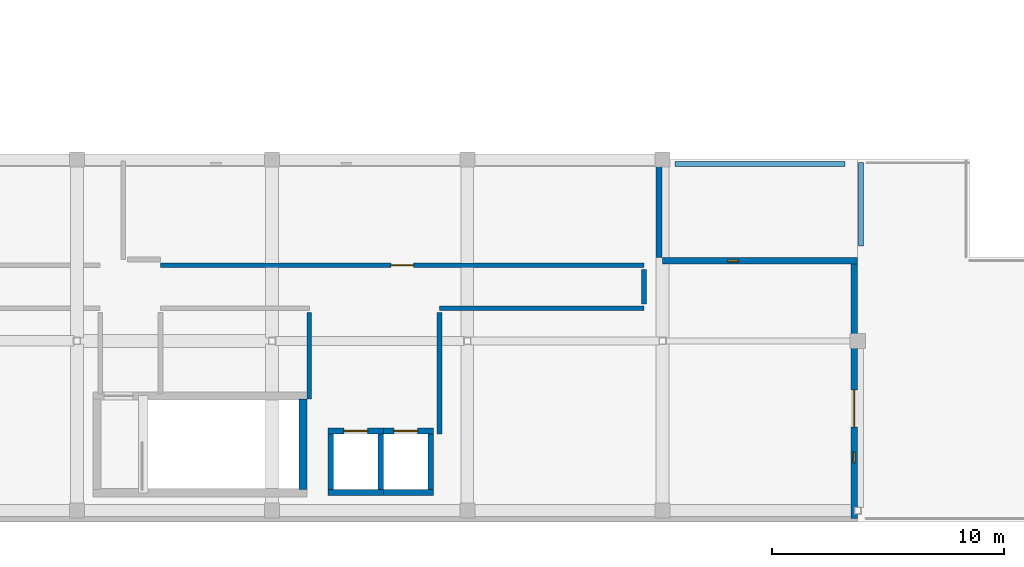
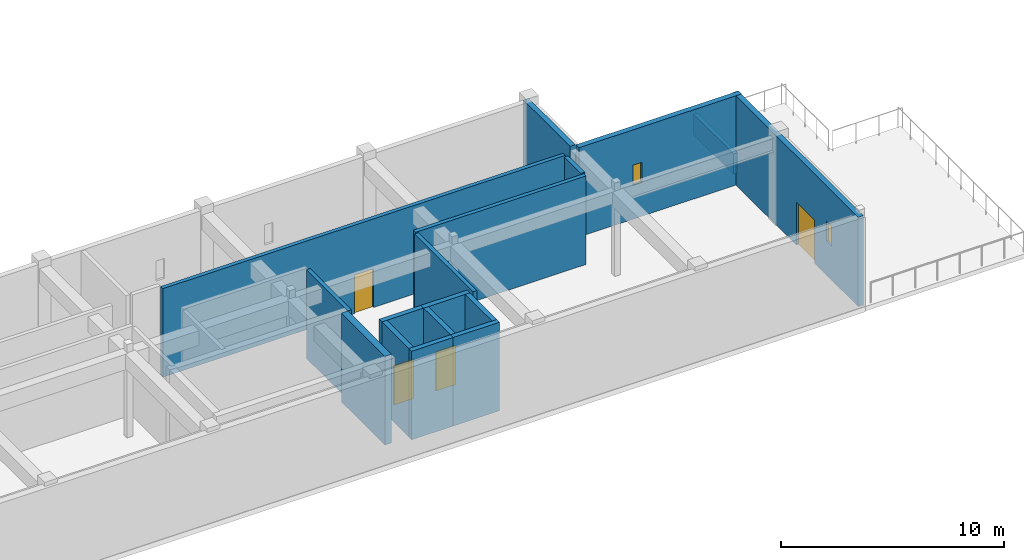
# One storey, part 66 of 78: 18 walls, 4 doors, 2 windows, 6 openings.
"""IFC4 building model written with IfcOpenShell, lengths in metres."""

import ifcopenshell
import ifcopenshell.guid

model = None  # the IFC model being written
_history = None  # IfcOwnerHistory: only IFC2X3 demands one
_inside = {}  # id of a spatial element -> (the spatial element, [elements in it])
_under = {}  # id of a project, library or spatial element -> (it, [spatial elements below it])
_declared = {}  # id of a project -> (the project, [libraries it declares])
_typed = {}  # id of a type object -> (the type object, [elements of that type])
_made_of = {}  # id of a material, layer set ... -> (it, [elements and type objects made of it])


def new_model(schema):
    """Start an empty IFC model of exactly this schema.

    Asked for "IFC4X3", IfcOpenShell would pick the latest addendum, in which some entities
    have other attributes; the version numbers below select the first issue.
    IFC2X3 requires an IfcOwnerHistory on every rooted entity: one is made here for all.
    """
    global model, _history
    if schema == "IFC4X3":
        model = ifcopenshell.file(schema_version=(4, 3, 0, 0))
    else:
        model = ifcopenshell.file(schema=schema)
    _inside.clear()
    _under.clear()
    _declared.clear()
    _typed.clear()
    _made_of.clear()
    _history = None
    if model.schema == "IFC2X3":
        org = make("IfcOrganization", Name="unknown")
        user = make(
            "IfcPersonAndOrganization",
            ThePerson=make("IfcPerson", FamilyName="unknown"),
            TheOrganization=org,
        )
        app = make(
            "IfcApplication",
            ApplicationDeveloper=org,
            Version="unknown",
            ApplicationFullName="unknown",
            ApplicationIdentifier="unknown",
        )
        _history = make(
            "IfcOwnerHistory",
            OwningUser=user,
            OwningApplication=app,
            ChangeAction="ADDED",
            CreationDate=0,
        )
    return model


def make(cls, **values):
    """One entity of the class cls with the attributes given. An attribute that is None is left unset."""
    return model.create_entity(
        cls, **{name: value for name, value in values.items() if value is not None}
    )


def rooted(cls, **values):
    """An entity with a GlobalId (a new one), such as an element, a storey or a relation."""
    return make(cls, GlobalId=ifcopenshell.guid.new(), OwnerHistory=_history, **values)


def si_unit(unit_type, name, prefix=None):
    """IfcSIUnit, for example si_unit("LENGTHUNIT", "METRE", prefix="MILLI")."""
    return make("IfcSIUnit", UnitType=unit_type, Prefix=prefix, Name=name)


def assignment(units):
    """IfcUnitAssignment: the units of a project."""
    return None if units is None else make("IfcUnitAssignment", Units=units)


def point(xyz):
    """IfcCartesianPoint."""
    return None if xyz is None else make("IfcCartesianPoint", Coordinates=xyz)


def direction(xyz):
    """IfcDirection."""
    return None if xyz is None else make("IfcDirection", DirectionRatios=xyz)


def frame(location, z_axis=None, x_axis=None):
    """IfcAxis2Placement3D, a coordinate frame: its origin and axes. An axis left out is left unset."""
    return make(
        "IfcAxis2Placement3D",
        Location=point(location),
        Axis=direction(z_axis),
        RefDirection=direction(x_axis),
    )


def frame_2d(location, x_axis=None):
    """IfcAxis2Placement2D, a coordinate frame in the plane: its origin and x axis."""
    return make(
        "IfcAxis2Placement2D", Location=point(location), RefDirection=direction(x_axis)
    )


def origin():
    """The frame at (0, 0, 0) with its axes left unset."""
    return frame((0.0, 0.0, 0.0))


def place(relative_to, where):
    """IfcLocalPlacement: puts the frame where relative to a parent placement (None: the world)."""
    return make(
        "IfcLocalPlacement", PlacementRelTo=relative_to, RelativePlacement=where
    )


def context(
    kind, dimensions, precision=None, world=None, true_north=None, identifier=None
):
    """IfcGeometricRepresentationContext, for example the 3D "Model" context."""
    return make(
        "IfcGeometricRepresentationContext",
        ContextIdentifier=identifier,
        ContextType=kind,
        CoordinateSpaceDimension=dimensions,
        Precision=precision,
        WorldCoordinateSystem=world,
        TrueNorth=true_north,
    )


def subcontext(parent, identifier, kind, view, scale=None):
    """IfcGeometricRepresentationSubContext, for example "Body" below "Model"."""
    return make(
        "IfcGeometricRepresentationSubContext",
        ContextIdentifier=identifier,
        ContextType=kind,
        ParentContext=parent,
        TargetScale=scale,
        TargetView=view,
    )


def project(units=None, contexts=None):
    """IfcProject with its units and contexts."""
    return rooted(
        "IfcProject",
        Name="project",
        RepresentationContexts=contexts,
        UnitsInContext=assignment(units),
    )


def spatial(cls, under=None, at=None, **own):
    """A site, building, storey or space (cls), placed at a placement, below another one or the project."""
    s = rooted(cls, ObjectPlacement=at, **own)
    if under is not None:
        _under.setdefault(under.id(), (under, []))[1].append(s)
    return s


def profile(cls, at=None, kind="AREA", **sizes):
    """A parametric profile (cls). Its sizes go by their IFC names, for example OverallWidth=200.0."""
    return make(cls, ProfileType=kind, Position=at, **sizes)


def rectangle(**sizes):
    """IfcRectangleProfileDef."""
    return profile("IfcRectangleProfileDef", **sizes)


def extrude(swept, where, along, depth):
    """IfcExtrudedAreaSolid: the profile swept, set in the frame where, extruded along a direction by depth."""
    return make(
        "IfcExtrudedAreaSolid",
        SweptArea=swept,
        Position=where,
        ExtrudedDirection=direction(along),
        Depth=depth,
    )


def shape(context_of_items, identifier, shape_type, items):
    """IfcShapeRepresentation: the items that make up one representation, for example the "Body"."""
    return make(
        "IfcShapeRepresentation",
        ContextOfItems=context_of_items,
        RepresentationIdentifier=identifier,
        RepresentationType=shape_type,
        Items=items,
    )


def material(Name=None, Category=None):
    """IfcMaterial."""
    return make("IfcMaterial", Name=Name, Category=Category)


def layer(
    of_material, thickness, ventilated=None, Name=None, Category=None, Priority=None
):
    """IfcMaterialLayer: one layer of a wall or slab, of a material (None: an air gap)."""
    return make(
        "IfcMaterialLayer",
        Material=of_material,
        LayerThickness=thickness,
        IsVentilated=ventilated,
        Name=Name,
        Category=Category,
        Priority=Priority,
    )


def layer_set(layers, Name=None):
    """IfcMaterialLayerSet."""
    return make("IfcMaterialLayerSet", MaterialLayers=layers, LayerSetName=Name)


def made_of(thing, what):
    """Note that an element or type object is made of a material, layer set ...; save() writes the relation."""
    if what is not None:
        _made_of.setdefault(what.id(), (what, []))[1].append(thing)
    return thing


def type_object(cls, material=None, **own):
    """A type object (cls), such as IfcWallType, which elements share."""
    return made_of(rooted(cls, **own), material)


def element(
    cls,
    number,
    at=None,
    inside=None,
    cuts=None,
    type_object=None,
    material=None,
    context=None,
    identifier="Body",
    shape_type=None,
    held_by="IfcProductDefinitionShape",
    body=None,
    shapes=None,
    **own,
):
    """One element of the class cls, such as IfcWall. Its Tag is "e" and its number.

    at: its placement. inside: the storey or other place that contains it. cuts: it is an
    opening in that element (IfcRelVoidsElement). A single representation is given by context,
    identifier, shape_type and body (its items); several are given by shapes. held_by: the class
    of the entity that holds the representations. save() writes the other relations.
    """
    e = rooted(cls, Tag="e%d" % number, ObjectPlacement=at, **own)
    if body is not None:
        shapes = [shape(context, identifier, shape_type, body)]
    if shapes is not None:
        e.Representation = make(held_by, Representations=shapes)
    if inside is not None:
        _inside.setdefault(inside.id(), (inside, []))[1].append(e)
    if cuts is not None:
        rooted(
            "IfcRelVoidsElement", RelatingBuildingElement=cuts, RelatedOpeningElement=e
        )
    if type_object is not None:
        _typed.setdefault(type_object.id(), (type_object, []))[1].append(e)
    return made_of(e, material)


def fill(opening, filler):
    """IfcRelFillsElement: the door or window that sits in an opening."""
    return rooted(
        "IfcRelFillsElement",
        RelatingOpeningElement=opening,
        RelatedBuildingElement=filler,
    )


def aggregate(whole, parts):
    """IfcRelAggregates: a whole, such as a stair, and the parts it consists of."""
    return rooted("IfcRelAggregates", RelatingObject=whole, RelatedObjects=parts)


def save(model, path):
    """Write the relations noted so far, then the file.

    IfcRelAggregates (storeys below a building ...), IfcRelContainedInSpatialStructure (elements
    in a storey), IfcRelDefinesByType, IfcRelAssociatesMaterial and IfcRelDeclares: one each for
    every whole, place, type object, material and project.
    """
    for whole, parts in _under.values():
        aggregate(whole, parts)
    for where, things in _inside.values():
        rooted(
            "IfcRelContainedInSpatialStructure",
            RelatedElements=things,
            RelatingStructure=where,
        )
    for kind, things in _typed.values():
        rooted("IfcRelDefinesByType", RelatedObjects=things, RelatingType=kind)
    for what, things in _made_of.values():
        rooted("IfcRelAssociatesMaterial", RelatedObjects=things, RelatingMaterial=what)
    for by, libraries in _declared.values():
        rooted("IfcRelDeclares", RelatingContext=by, RelatedDefinitions=libraries)
    model.write(path)


model = new_model("IFC4")

# Units and contexts
model_context = context("Model", 3, precision=1e-05, world=origin(), true_north=direction((0.0, 1.0)))
body_context = subcontext(model_context, "Body", "Model", "MODEL_VIEW")
ifc_project = project(units=[si_unit("LENGTHUNIT", "METRE"), si_unit("AREAUNIT", "SQUARE_METRE"), si_unit("VOLUMEUNIT", "CUBIC_METRE"), si_unit("PLANEANGLEUNIT", "RADIAN"), si_unit("MASSUNIT", "GRAM", prefix="KILO")], contexts=[model_context])

# Site, building, storey
site_placement = place(None, origin())
site = spatial("IfcSite", under=ifc_project, at=site_placement, CompositionType="ELEMENT")
building_placement = place(site_placement, origin())
building = spatial("IfcBuilding", under=site, at=building_placement, Name="Quendrovan Civic Courthouse", CompositionType="ELEMENT")
storey_placement = place(building_placement, frame((0.0, 0.0, 20.39990234375)))
storey = spatial("IfcBuildingStorey", under=building, at=storey_placement, Name="L05", CompositionType="ELEMENT", Elevation=20.39990234375)

# Wall
ifc_material_1 = material(Name="Concrete C45/55", Category="concrete")
ifc_layer_1 = layer(ifc_material_1, 0.35009765625, Name="Concrete C45/55")
ifc_layer_set_1 = layer_set([ifc_layer_1], Name="Concrete C45/55")
wall_type_1 = type_object("IfcWallType", Name="WL-CORE-350", PredefinedType="SHEAR", material=ifc_layer_set_1)
wall_1_placement = place(storey_placement, frame((34.93505859375, 5.300048828125, 0.0), z_axis=(0.0, 0.0, 1.0), x_axis=(0.0, -1.0, 0.0)))
element("IfcWall", 1, at=wall_1_placement, inside=storey, type_object=wall_type_1, Name="L05 Core Shear Wall ST5-E", PredefinedType="SHEAR", context=body_context, shape_type="SweptSolid", body=[
    extrude(rectangle(XDim=3.900146484375, YDim=0.35009765625, at=frame_2d((1.9501953125, 0.0))), origin(), (0.0, 0.0, 1.0), 4.840087890625),
])

# Wall, opening, door
ifc_material_2 = material(Name="Concrete C40/50", Category="concrete")
ifc_layer_2 = layer(ifc_material_2, 0.199951171875, Name="Concrete C40/50")
ifc_layer_set_2 = layer_set([ifc_layer_2], Name="Concrete C40/50")
wall_type_2 = type_object("IfcWallType", Name="WL-CUST-200", PredefinedType="PARTITIONING", material=ifc_layer_set_2)
wall_2_placement = place(storey_placement, frame((49.60009765625, 11.050048828125, 0.0), z_axis=(0.0, 0.0, 1.0), x_axis=(-1.0, 0.0, 0.0)))
wall_2 = element("IfcWall", 2, at=wall_2_placement, inside=storey, type_object=wall_type_2, Name="L05 Custody Holding Cell Partition 0666", PredefinedType="PARTITIONING", context=body_context, shape_type="SweptSolid", body=[
    extrude(rectangle(XDim=20.800048828125, YDim=0.199951171875, at=frame_2d((10.39990234375, 0.0))), origin(), (0.0, 0.0, 1.0), 4.840087890625),
])
opening_1_placement = place(wall_2_placement, frame((9.909912109375, 0.0, 0.0)))
opening_1 = element("IfcOpeningElement", 3, at=opening_1_placement, cuts=wall_2, Name="Opening D-L05-091", PredefinedType="OPENING", context=body_context, shape_type="SweptSolid", body=[
    extrude(rectangle(XDim=0.97998046875, YDim=2.1201171875, at=frame_2d((0.489990234375, 1.06005859375))), frame((0.0, 0.10986328125, 0.0), z_axis=(0.0, -1.0, 0.0), x_axis=(1.0, 0.0, 0.0)), (0.0, 0.0, 1.0), 0.219970703125),
])
ifc_material_3 = material(Name="Heavy-gauge security steel door", Category="steel")
door_type_1 = type_object("IfcDoorType", Name="DR-CELL-980", OperationType="NOTDEFINED", PredefinedType="DOOR", material=ifc_material_3)
door_1_placement = place(opening_1_placement, origin())
door_1 = element("IfcDoor", 4, at=door_1_placement, inside=storey, type_object=door_type_1, Name="L05 Custody Holding Cell Door D-L05-091", OperationType="SINGLE_SWING_RIGHT", OverallHeight=2.1201171875, OverallWidth=0.97998046875, PredefinedType="DOOR", context=body_context, shape_type="SweptSolid", body=[
    extrude(rectangle(XDim=0.97998046875, YDim=2.1201171875, at=frame_2d((0.489990234375, 1.06005859375))), frame((0.0, 0.02490234375, 0.0), z_axis=(0.0, -1.0, 0.0), x_axis=(1.0, 0.0, 0.0)), (0.0, 0.0, 1.0), 0.050048828125),
])
fill(opening_1, door_1)

# Walls
wall_3_placement = place(storey_placement, frame((40.800048828125, 9.199951171875, 0.0), z_axis=(0.0, 0.0, 1.0), x_axis=(1.0, 0.0, 0.0)))
element("IfcWall", 5, at=wall_3_placement, inside=storey, type_object=wall_type_2, Name="L05 Custody Holding Cell Partition 0686", PredefinedType="PARTITIONING", context=body_context, shape_type="SweptSolid", body=[
    extrude(rectangle(XDim=8.800048828125, YDim=0.199951171875, at=frame_2d((4.39990234375, 0.0))), origin(), (0.0, 0.0, 1.0), 4.840087890625),
])
wall_4_placement = place(storey_placement, frame((35.199951171875, 9.02001953125, 0.0), z_axis=(0.0, 0.0, 1.0), x_axis=(0.0, -1.0, 0.0)))
element("IfcWall", 6, at=wall_4_placement, inside=storey, type_object=wall_type_2, Name="L05 Custody Holding Cell Partition 0694", PredefinedType="PARTITIONING", context=body_context, shape_type="SweptSolid", body=[
    extrude(rectangle(XDim=3.719970703125, YDim=0.199951171875, at=frame_2d((1.85986328125, 0.0))), origin(), (0.0, 0.0, 1.0), 4.840087890625),
])
wall_5_placement = place(storey_placement, frame((40.800048828125, 3.800048828125, 0.0), z_axis=(0.0, 0.0, 1.0), x_axis=(0.0, 1.0, 0.0)))
element("IfcWall", 7, at=wall_5_placement, inside=storey, type_object=wall_type_2, Name="L05 Custody Holding Cell Partition 0695", PredefinedType="PARTITIONING", context=body_context, shape_type="SweptSolid", body=[
    extrude(rectangle(XDim=5.219970703125, YDim=0.199951171875, at=frame_2d((2.60986328125, 0.0))), origin(), (0.0, 0.0, 1.0), 4.840087890625),
])
wall_6_placement = place(storey_placement, frame((49.60009765625, 9.3798828125, 0.0), z_axis=(0.0, 0.0, 1.0), x_axis=(0.0, 1.0, 0.0)))
element("IfcWall", 8, at=wall_6_placement, inside=storey, type_object=wall_type_2, Name="L05 Custody Holding Cell Partition 0741", PredefinedType="PARTITIONING", context=body_context, shape_type="SweptSolid", body=[
    extrude(rectangle(XDim=1.490234375, YDim=0.199951171875, at=frame_2d((0.7451171875, 0.0))), origin(), (0.0, 0.0, 1.0), 4.840087890625),
])
ifc_layer_3 = layer(ifc_material_2, 0.27001953125, Name="Concrete C40/50")
ifc_layer_set_3 = layer_set([ifc_layer_3], Name="Concrete C40/50")
wall_type_3 = type_object("IfcWallType", Name="WL-EXT-RC270", PredefinedType="SOLIDWALL", material=ifc_layer_set_3)
wall_7_placement = place(storey_placement, frame((50.2451171875, 15.60009765625, 0.0), z_axis=(0.0, 0.0, 1.0), x_axis=(0.0, -1.0, 0.0)))
element("IfcWall", 9, at=wall_7_placement, inside=storey, type_object=wall_type_3, Name="L05 Exterior Precast Concrete Wall 412", PredefinedType="SOLIDWALL", context=body_context, shape_type="SweptSolid", body=[
    extrude(rectangle(XDim=4.2001953125, YDim=0.27001953125, at=frame_2d((2.10009765625, 0.0))), origin(), (0.0, 0.0, 1.0), 4.880126953125),
])

# Wall, opening, window
wall_8_placement = place(storey_placement, frame((50.39990234375, 11.2451171875, 0.0), z_axis=(0.0, 0.0, 1.0), x_axis=(1.0, 0.0, 0.0)))
wall_8 = element("IfcWall", 10, at=wall_8_placement, inside=storey, type_object=wall_type_3, Name="L05 Exterior Precast Concrete Wall 413", PredefinedType="SOLIDWALL", context=body_context, shape_type="SweptSolid", body=[
    extrude(rectangle(XDim=8.400146484375, YDim=0.27001953125, at=frame_2d((4.2001953125, 0.0))), origin(), (0.0, 0.0, 1.0), 4.880126953125),
])
opening_2_placement = place(wall_8_placement, frame((2.800048828125, 0.0, 1.85009765625)))
opening_2 = element("IfcOpeningElement", 11, at=opening_2_placement, cuts=wall_8, Name="Opening WS01", PredefinedType="OPENING", context=body_context, shape_type="SweptSolid", body=[
    extrude(rectangle(XDim=0.449951171875, YDim=1.10009765625, at=frame_2d((0.22509765625, 0.550048828125))), frame((0.0, 0.14501953125, 0.0), z_axis=(0.0, -1.0, 0.0), x_axis=(1.0, 0.0, 0.0)), (0.0, 0.0, 1.0), 0.2900390625),
])
ifc_material_4 = material(Name="Polycarbonate laminated security glass", Category="glass")
window_type = type_object("IfcWindowType", Name="WIN-SEC-SLOT", PartitioningType="SINGLE_PANEL", PredefinedType="WINDOW", material=ifc_material_4)
window_1_placement = place(opening_2_placement, origin())
window_1 = element("IfcWindow", 12, at=window_1_placement, inside=storey, type_object=window_type, Name="L05 Custody High-Sill Security Window 0033", OverallHeight=1.10009765625, OverallWidth=0.449951171875, PartitioningType="SINGLE_PANEL", PredefinedType="WINDOW", context=body_context, shape_type="SweptSolid", body=[
    extrude(rectangle(XDim=0.449951171875, YDim=1.10009765625, at=frame_2d((0.22509765625, 0.550048828125))), frame((0.0, 0.030029296875, 0.0), z_axis=(0.0, -1.0, 0.0), x_axis=(1.0, 0.0, 0.0)), (0.0, 0.0, 1.0), 0.06005859375),
])
fill(opening_2, window_1)

# Wall, openings, door, window
wall_9_placement = place(storey_placement, frame((58.64501953125, 11.39990234375, 0.0), z_axis=(0.0, 0.0, 1.0), x_axis=(0.0, -1.0, 0.0)))
wall_9 = element("IfcWall", 13, at=wall_9_placement, inside=storey, type_object=wall_type_3, Name="L05 Exterior Precast Concrete Wall 414", PredefinedType="SOLIDWALL", context=body_context, shape_type="SweptSolid", body=[
    extrude(rectangle(XDim=11.23486328125, YDim=0.27001953125, at=frame_2d((5.617431640625, 0.0))), origin(), (0.0, 0.0, 1.0), 4.880126953125),
])
opening_3_placement = place(wall_9_placement, frame((5.7021484375, 0.0, 0.0)))
opening_3 = element("IfcOpeningElement", 14, at=opening_3_placement, cuts=wall_9, Name="Opening DT-L05-1", PredefinedType="OPENING", context=body_context, shape_type="SweptSolid", body=[
    extrude(rectangle(XDim=1.60009765625, YDim=2.35009765625, at=frame_2d((0.800048828125, 1.175048828125))), frame((0.0, 0.14501953125, 0.0), z_axis=(0.0, -1.0, 0.0), x_axis=(1.0, 0.0, 0.0)), (0.0, 0.0, 1.0), 0.2900390625),
])
opening_4_placement = place(wall_9_placement, frame((8.39990234375, 0.0, 1.85009765625)))
opening_4 = element("IfcOpeningElement", 15, at=opening_4_placement, cuts=wall_9, Name="Opening WS01", PredefinedType="OPENING", context=body_context, shape_type="SweptSolid", body=[
    extrude(rectangle(XDim=0.449951171875, YDim=1.10009765625, at=frame_2d((0.22509765625, 0.550048828125))), frame((0.0, 0.14501953125, 0.0), z_axis=(0.0, -1.0, 0.0), x_axis=(1.0, 0.0, 0.0)), (0.0, 0.0, 1.0), 0.2900390625),
])
ifc_material_5 = material(Name="Bronze anodised aluminium and low-E glass", Category="aluminium")
door_type_2 = type_object("IfcDoorType", Name="DR-TER-1600", OperationType="NOTDEFINED", PredefinedType="DOOR", material=ifc_material_5)
door_2_placement = place(opening_3_placement, origin())
door_2 = element("IfcDoor", 16, at=door_2_placement, inside=storey, type_object=door_type_2, Name="L05 Judicial Terrace Door DT-L05-1", OperationType="SINGLE_SWING_LEFT", OverallHeight=2.35009765625, OverallWidth=1.60009765625, PredefinedType="DOOR", context=body_context, shape_type="SweptSolid", body=[
    extrude(rectangle(XDim=1.60009765625, YDim=2.35009765625, at=frame_2d((0.800048828125, 1.175048828125))), frame((0.0, 0.02490234375, 0.0), z_axis=(0.0, -1.0, 0.0), x_axis=(1.0, 0.0, 0.0)), (0.0, 0.0, 1.0), 0.050048828125),
])
fill(opening_3, door_2)
window_2_placement = place(opening_4_placement, origin())
window_2 = element("IfcWindow", 17, at=window_2_placement, inside=storey, type_object=window_type, Name="L05 Custody High-Sill Security Window 0034", OverallHeight=1.10009765625, OverallWidth=0.449951171875, PartitioningType="SINGLE_PANEL", PredefinedType="WINDOW", context=body_context, shape_type="SweptSolid", body=[
    extrude(rectangle(XDim=0.449951171875, YDim=1.10009765625, at=frame_2d((0.22509765625, 0.550048828125))), frame((0.0, 0.030029296875, 0.0), z_axis=(0.0, -1.0, 0.0), x_axis=(1.0, 0.0, 0.0)), (0.0, 0.0, 1.0), 0.06005859375),
])
fill(opening_4, window_2)

# Walls
ifc_material_6 = material(Name="Precast concrete C45/55", Category="concrete")
ifc_layer_4 = layer(ifc_material_6, 0.2099609375, Name="Precast concrete C45/55")
ifc_layer_set_4 = layer_set([ifc_layer_4], Name="Precast concrete C45/55")
wall_type_4 = type_object("IfcWallType", Name="WL-PARAPET-210", PredefinedType="PARAPET", material=ifc_layer_set_4)
wall_10_placement = place(storey_placement, frame((58.93994140625, 11.8798828125, 0.0), z_axis=(0.0, 0.0, 1.0), x_axis=(0.0, 1.0, 0.0)))
element("IfcWall", 18, at=wall_10_placement, inside=storey, type_object=wall_type_4, Name="L05 Terrace-to-Roof Dividing Parapet Wall 03", PredefinedType="PARAPET", context=body_context, shape_type="SweptSolid", body=[
    extrude(rectangle(XDim=3.590087890625, YDim=0.2099609375, at=frame_2d((1.794921875, 0.0))), origin(), (0.0, 0.0, 1.0), 1.1201171875),
])
wall_11_placement = place(storey_placement, frame((50.93994140625, 15.419921875, 0.0), z_axis=(0.0, 0.0, 1.0), x_axis=(1.0, 0.0, 0.0)))
element("IfcWall", 19, at=wall_11_placement, inside=storey, type_object=wall_type_4, Name="L05 Precast Roof Parapet Wall 47", PredefinedType="PARAPET", context=body_context, shape_type="SweptSolid", body=[
    extrude(rectangle(XDim=7.320068359375, YDim=0.2099609375, at=frame_2d((3.66015625, 0.0))), origin(), (0.0, 0.0, 1.0), 1.1201171875),
])
ifc_layer_5 = layer(ifc_material_1, 0.25, Name="Concrete C45/55")
ifc_layer_set_5 = layer_set([ifc_layer_5], Name="Concrete C45/55")
wall_type_5 = type_object("IfcWallType", Name="WL-SHAFT-250", PredefinedType="SHEAR", material=ifc_layer_set_5)
wall_12_placement = place(storey_placement, frame((36.0, 1.27490234375, 0.0), z_axis=(0.0, 0.0, 1.0), x_axis=(1.0, 0.0, 0.0)))
element("IfcWall", 20, at=wall_12_placement, inside=storey, type_object=wall_type_5, Name="L05 Lift Hoistway Wall CL1 -Y", PredefinedType="SHEAR", context=body_context, shape_type="SweptSolid", body=[
    extrude(rectangle(XDim=2.39990234375, YDim=0.25, at=frame_2d((1.199951171875, 0.0))), origin(), (0.0, 0.0, 1.0), 4.840087890625),
])

# Wall, opening, door
wall_13_placement = place(storey_placement, frame((38.39990234375, 3.925048828125, 0.0), z_axis=(0.0, 0.0, 1.0), x_axis=(-1.0, 0.0, 0.0)))
wall_13 = element("IfcWall", 21, at=wall_13_placement, inside=storey, type_object=wall_type_5, Name="L05 Lift Hoistway Wall CL1 +Y", PredefinedType="SHEAR", context=body_context, shape_type="SweptSolid", body=[
    extrude(rectangle(XDim=2.39990234375, YDim=0.25, at=frame_2d((1.199951171875, 0.0))), origin(), (0.0, 0.0, 1.0), 4.840087890625),
])
opening_5_placement = place(wall_13_placement, frame((0.68994140625, 0.0, 0.0)))
opening_5 = element("IfcOpeningElement", 22, at=opening_5_placement, cuts=wall_13, Name="Opening LD-CL1-L05", PredefinedType="OPENING", context=body_context, shape_type="SweptSolid", body=[
    extrude(rectangle(XDim=1.02001953125, YDim=2.14990234375, at=frame_2d((0.510009765625, 1.074951171875))), frame((0.0, 0.135009765625, 0.0), z_axis=(0.0, -1.0, 0.0), x_axis=(1.0, 0.0, 0.0)), (0.0, 0.0, 1.0), 0.27001953125),
])
ifc_material_7 = material(Name="Heavy security stainless steel", Category="steel")
door_type_3 = type_object("IfcDoorType", Name="DR-LIFT-LD-CL", OperationType="NOTDEFINED", PredefinedType="DOOR", material=ifc_material_7)
door_3_placement = place(opening_5_placement, origin())
door_3 = element("IfcDoor", 23, at=door_3_placement, inside=storey, type_object=door_type_3, Name="L05 Lift CL1 Sliding Landing Door", OperationType="SLIDING_TO_RIGHT", OverallHeight=2.14990234375, OverallWidth=1.02001953125, PredefinedType="DOOR", context=body_context, shape_type="SweptSolid", body=[
    extrude(rectangle(XDim=1.02001953125, YDim=2.14990234375, at=frame_2d((0.510009765625, 1.074951171875))), frame((0.0, 0.02490234375, 0.0), z_axis=(0.0, -1.0, 0.0), x_axis=(1.0, 0.0, 0.0)), (0.0, 0.0, 1.0), 0.050048828125),
])
fill(opening_5, door_3)

# Walls
for number, where, z_axis, x_axis, name in (
    (24, (36.125, 1.39990234375, 0.0), (0.0, 0.0, 1.0), (0.0, 1.0, 0.0), "L05 Lift Hoistway Wall CL1 -X"),
    (25, (38.27490234375, 3.800048828125, 0.0), (0.0, 0.0, 1.0), (0.0, -1.0, 0.0), "L05 Lift Hoistway Wall CL1 +X"),
    (26, (38.14990234375, 1.27490234375, 0.0), (0.0, 0.0, 1.0), (1.0, 0.0, 0.0), "L05 Lift Hoistway Wall CL2 -Y"),
):
    element("IfcWall", number, at=place(storey_placement, frame(where, z_axis=z_axis, x_axis=x_axis)), inside=storey, type_object=wall_type_5, Name=name, PredefinedType="SHEAR", context=body_context, shape_type="SweptSolid", body=[
        extrude(rectangle(XDim=2.400146484375, YDim=0.25, at=frame_2d((1.2001953125, 0.0))), origin(), (0.0, 0.0, 1.0), 4.840087890625),
    ])

# Wall, opening, door
wall_14_placement = place(storey_placement, frame((40.550048828125, 3.925048828125, 0.0), z_axis=(0.0, 0.0, 1.0), x_axis=(-1.0, 0.0, 0.0)))
wall_14 = element("IfcWall", 27, at=wall_14_placement, inside=storey, type_object=wall_type_5, Name="L05 Lift Hoistway Wall CL2 +Y", PredefinedType="SHEAR", context=body_context, shape_type="SweptSolid", body=[
    extrude(rectangle(XDim=2.400146484375, YDim=0.25, at=frame_2d((1.2001953125, 0.0))), origin(), (0.0, 0.0, 1.0), 4.840087890625),
])
opening_6_placement = place(wall_14_placement, frame((0.68994140625, 0.0, 0.0)))
opening_6 = element("IfcOpeningElement", 28, at=opening_6_placement, cuts=wall_14, Name="Opening LD-CL2-L05", PredefinedType="OPENING", context=body_context, shape_type="SweptSolid", body=[
    extrude(rectangle(XDim=1.02001953125, YDim=2.14990234375, at=frame_2d((0.510009765625, 1.074951171875))), frame((0.0, 0.135009765625, 0.0), z_axis=(0.0, -1.0, 0.0), x_axis=(1.0, 0.0, 0.0)), (0.0, 0.0, 1.0), 0.27001953125),
])
door_4_placement = place(opening_6_placement, origin())
door_4 = element("IfcDoor", 29, at=door_4_placement, inside=storey, type_object=door_type_3, Name="L05 Lift CL2 Sliding Landing Door", OperationType="SLIDING_TO_RIGHT", OverallHeight=2.14990234375, OverallWidth=1.02001953125, PredefinedType="DOOR", context=body_context, shape_type="SweptSolid", body=[
    extrude(rectangle(XDim=1.02001953125, YDim=2.14990234375, at=frame_2d((0.510009765625, 1.074951171875))), frame((0.0, 0.02490234375, 0.0), z_axis=(0.0, -1.0, 0.0), x_axis=(1.0, 0.0, 0.0)), (0.0, 0.0, 1.0), 0.050048828125),
])
fill(opening_6, door_4)

# Wall
wall_15_placement = place(storey_placement, frame((40.425048828125, 3.800048828125, 0.0), z_axis=(0.0, 0.0, 1.0), x_axis=(0.0, -1.0, 0.0)))
element("IfcWall", 30, at=wall_15_placement, inside=storey, type_object=wall_type_5, Name="L05 Lift Hoistway Wall CL2 +X", PredefinedType="SHEAR", context=body_context, shape_type="SweptSolid", body=[
    extrude(rectangle(XDim=2.400146484375, YDim=0.25, at=frame_2d((1.2001953125, 0.0))), origin(), (0.0, 0.0, 1.0), 4.840087890625),
])

save(model, "model.ifc")
